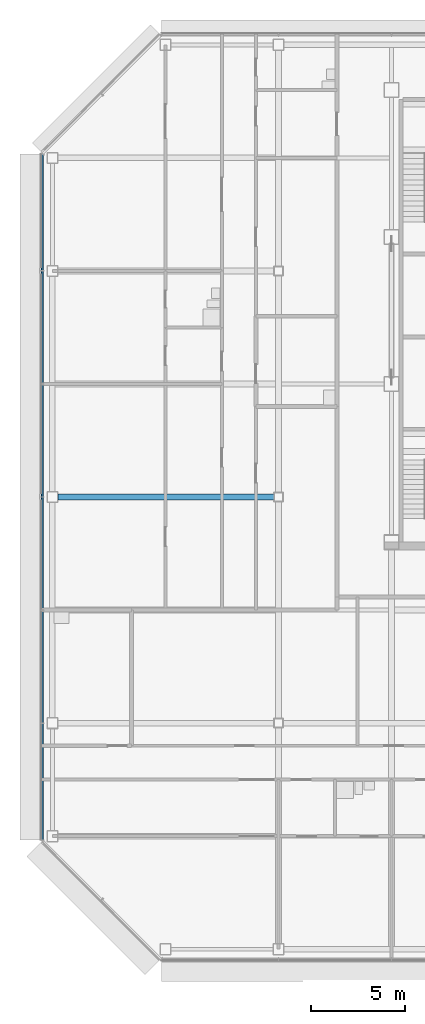
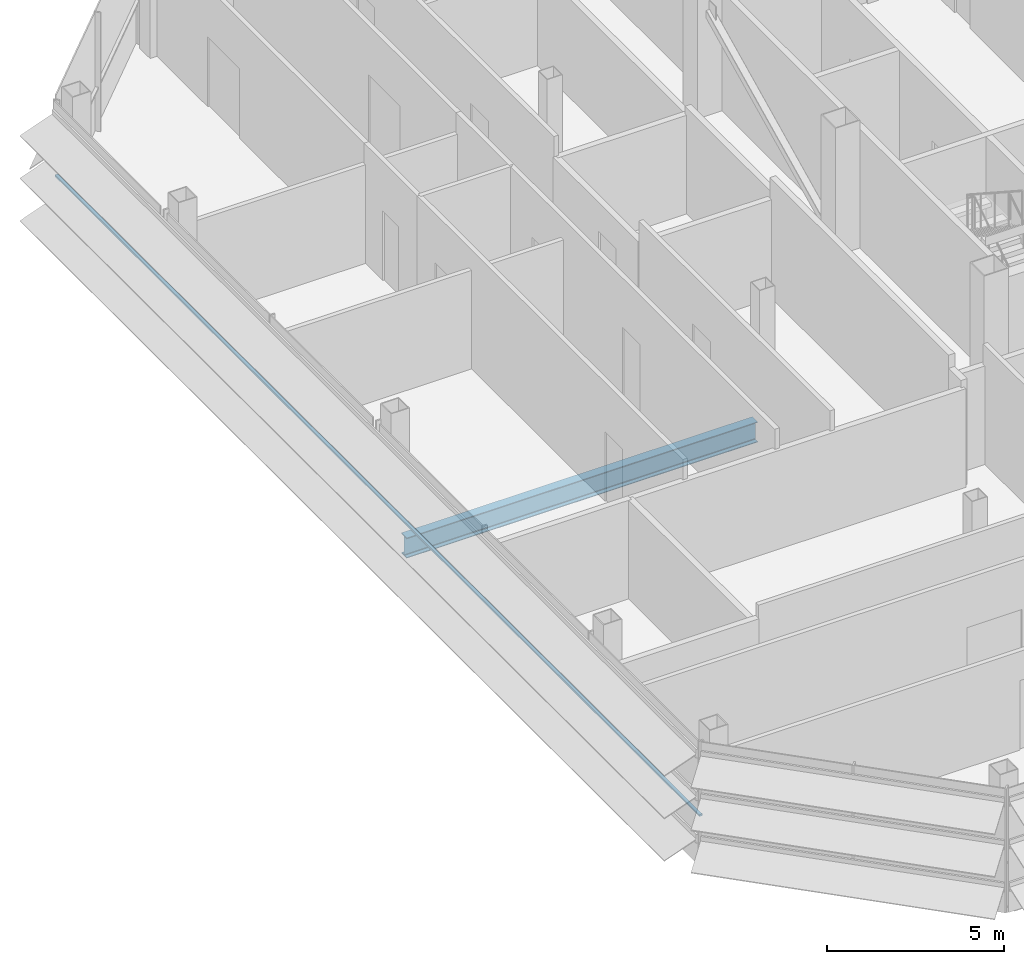
# One storey, part 6 of 29: 1 beam, 1 member, 1 element without a shape of its own.
"""IFC4 building model written with IfcOpenShell, lengths in metres."""

from ifc_helpers import new_model, si_unit, direction, frame, origin, origin_2d, place, context, subcontext, project, spatial, rectangle, i_section, extrude, material, material_profile, profile_set, type_object, element, aggregate, save


model = new_model("IFC4")

# Units and contexts
model_context = context("Model", 3, precision=1e-05, world=origin(), true_north=direction((0.0, 1.0)))
body_context = subcontext(model_context, "Body", "Model", "MODEL_VIEW")
ifc_project = project(units=[si_unit("LENGTHUNIT", "METRE"), si_unit("AREAUNIT", "SQUARE_METRE"), si_unit("VOLUMEUNIT", "CUBIC_METRE"), si_unit("PLANEANGLEUNIT", "RADIAN"), si_unit("MASSUNIT", "GRAM", prefix="KILO")], contexts=[model_context])

# Site, building, storey
site_placement = place(None, origin())
site = spatial("IfcSite", under=ifc_project, at=site_placement, CompositionType="ELEMENT")
building_placement = place(site_placement, origin())
building = spatial("IfcBuilding", under=site, at=building_placement, Name="Sorahane Residences", CompositionType="ELEMENT")
storey_placement = place(building_placement, frame((0.0, 0.0, 277.39990234375)))
storey = spatial("IfcBuildingStorey", under=building, at=storey_placement, Name="L66", CompositionType="ELEMENT", Elevation=277.39990234375)

# Curtain wall, member
ifc_material_1 = material(Name="Dark low-e glass and black anodised aluminium", Category="aluminium")
curtain_wall_type = type_object("IfcCurtainWallType", Name="Curtain wall CW-1 Typical unitised wall", PredefinedType="NOTDEFINED", material=ifc_material_1)
curtain_wall_placement = place(storey_placement, origin())
curtain_wall = element("IfcCurtainWall", 1, at=curtain_wall_placement, inside=storey, type_object=curtain_wall_type, Name="CW-1 curtain wall L66 W1", PredefinedType="NOTDEFINED")
ifc_material_2 = material(Name="Black anodised aluminium", Category="aluminium")
ifc_material_profile_1 = material_profile(ifc_material_2, rectangle(XDim=0.10009765625, YDim=0.06005859375, at=origin_2d()), Name="Curtain wall transom CW-1 black anodised aluminium 60x100")
ifc_profile_set_1 = profile_set([ifc_material_profile_1], Name="Black anodised aluminium")
member_type = type_object("IfcMemberType", Name="Curtain wall transom CW-1 black anodised aluminium 60x100", PredefinedType="USERDEFINED", material=ifc_profile_set_1)
member_placement = place(storey_placement, frame((-12.530029296875, 42.198486328125, 1.5), z_axis=(0.0, -1.0, 0.0), x_axis=(1.0, 0.0, 0.0)))
member = element("IfcMember", 2, at=member_placement, type_object=member_type, Name="CW-1 transom L66 W1", ObjectType="TRANSOM", PredefinedType="USERDEFINED", context=body_context, shape_type="SweptSolid", body=[
    extrude(rectangle(XDim=0.10009765625, YDim=0.06005859375, at=origin_2d()), origin(), (0.0, 0.0, 1.0), 36.39697265625),
])
aggregate(curtain_wall, [member])

# Beam
ifc_material_3 = material(Name="Steel Q355B", Category="steel")
ifc_material_profile_2 = material_profile(ifc_material_3, i_section(OverallWidth=0.300048828125, OverallDepth=0.699951171875, WebThickness=0.012939453125, FlangeThickness=0.02392578125, FilletRadius=0.028076171875, at=origin_2d()), Name="HN 700x300x13x24")
ifc_profile_set_2 = profile_set([ifc_material_profile_2], Name="Steel Q355B")
beam_type = type_object("IfcBeamType", Name="Steel floor beam HN 700x300x13x24 Q355B", PredefinedType="BEAM", material=ifc_profile_set_2)
beam_placement = place(storey_placement, frame((-11.699951171875, 24.0, -0.52978515625), z_axis=(1.0, 0.0, 0.0), x_axis=(0.0, 1.0, 0.0)))
element("IfcBeam", 3, at=beam_placement, inside=storey, type_object=beam_type, Name="Beam L66 011", PredefinedType="BEAM", context=body_context, shape_type="SweptSolid", body=[
    extrude(i_section(OverallWidth=0.300048828125, OverallDepth=0.699951171875, WebThickness=0.012939453125, FlangeThickness=0.02392578125, FilletRadius=0.028076171875, at=origin_2d()), origin(), (0.0, 0.0, 1.0), 11.449951171875),
])

save(model, "model.ifc")
